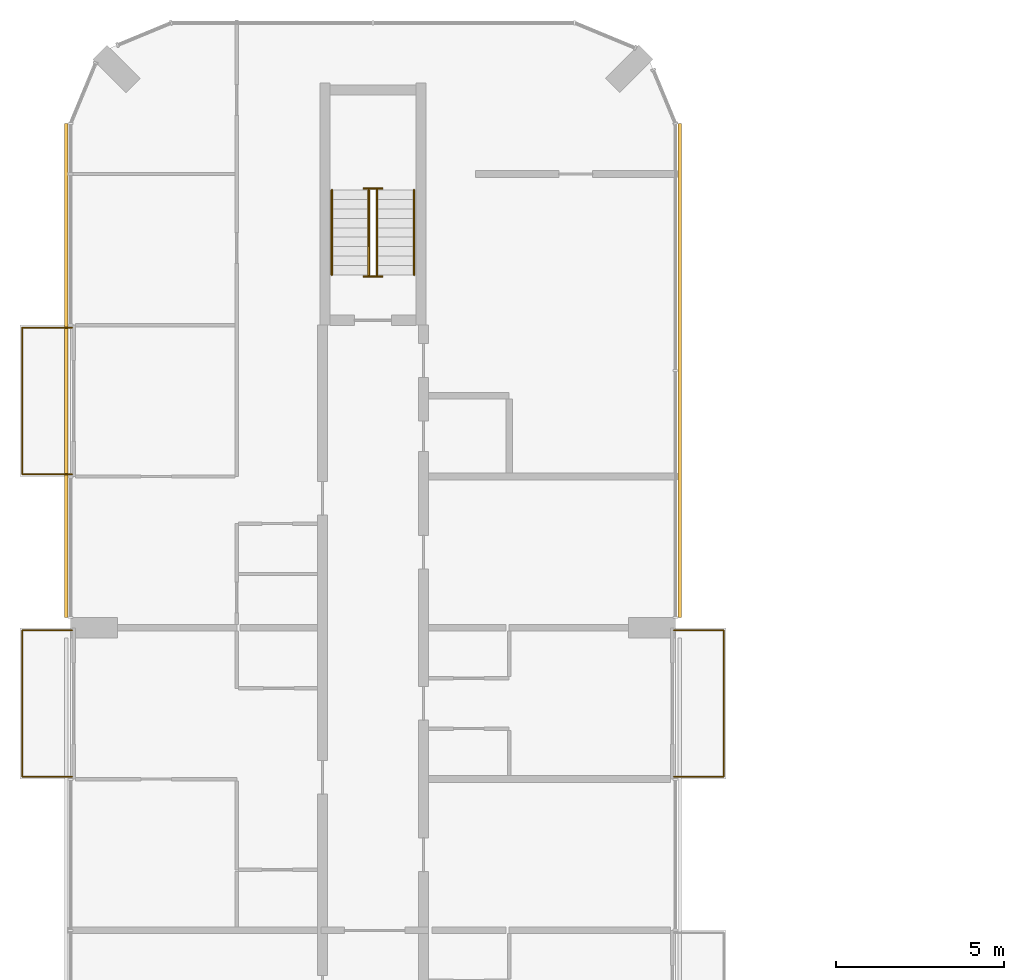
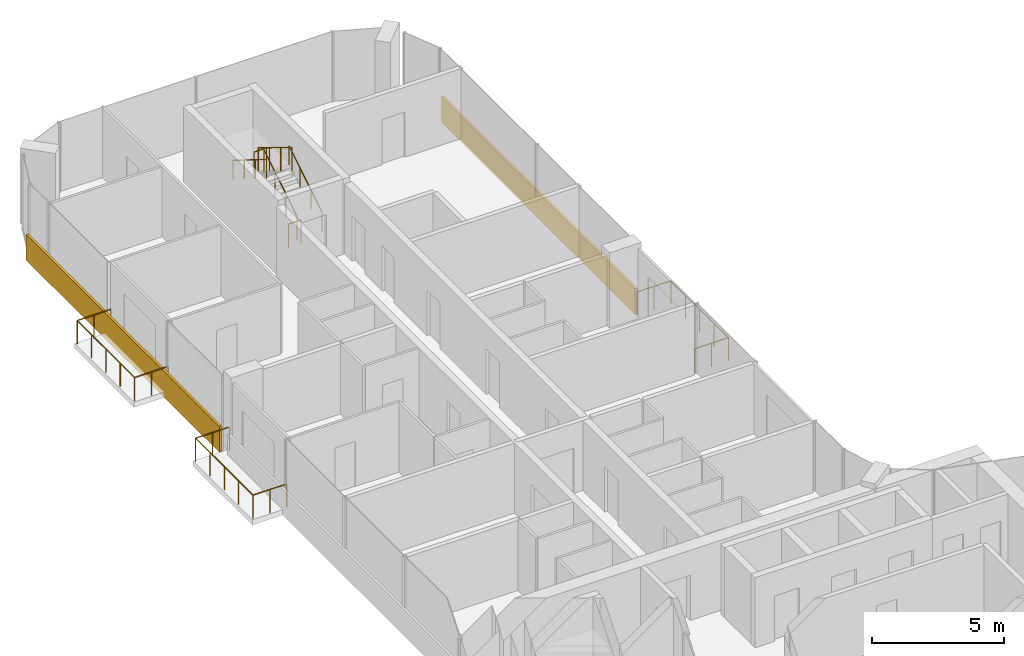
# One storey, part 15 of 15: 9 railings, 2 coverings.
"""IFC4 building model written with IfcOpenShell, lengths in metres."""

from ifc_helpers import new_model, si_unit, direction, frame, origin, origin_2d, place, context, subcontext, project, spatial, rectangle, circle, extrude, material, layer, layer_set, type_object, element, save


model = new_model("IFC4")

# Units and contexts
model_context = context("Model", 3, precision=1e-05, world=origin(), true_north=direction((0.0, 1.0)))
body_context = subcontext(model_context, "Body", "Model", "MODEL_VIEW")
ifc_project = project(units=[si_unit("LENGTHUNIT", "METRE"), si_unit("AREAUNIT", "SQUARE_METRE"), si_unit("VOLUMEUNIT", "CUBIC_METRE"), si_unit("PLANEANGLEUNIT", "RADIAN"), si_unit("MASSUNIT", "GRAM", prefix="KILO")], contexts=[model_context])

# Site, building, storey
site_placement = place(None, origin())
site = spatial("IfcSite", under=ifc_project, at=site_placement, CompositionType="ELEMENT")
building_placement = place(site_placement, origin())
building = spatial("IfcBuilding", under=site, at=building_placement, Name="Plateau Cross Towers", CompositionType="ELEMENT")
storey_placement = place(building_placement, frame((0.0, 0.0, 170.89990234375)))
storey = spatial("IfcBuildingStorey", under=building, at=storey_placement, Name="L44", CompositionType="ELEMENT", Elevation=170.89990234375)

# Railings
ifc_material_1 = material(Name="Stainless steel and toughened glass", Category="steel")
railing_type_1 = type_object("IfcRailingType", Name="Glass balustrade guard 1100", PredefinedType="GUARDRAIL", material=ifc_material_1)
for number, where, name in (
    (1, (0.050048828125, 31.570068359375, 0.0), "Guard guard1"),
    (2, (0.050048828125, 40.570068359375, 0.0), "Guard guard1"),
):
    element("IfcRailing", number, at=place(storey_placement, frame(where)), inside=storey, type_object=railing_type_1, Name=name, PredefinedType="GUARDRAIL", context=body_context, shape_type="SweptSolid", body=[
        extrude(circle(Radius=0.02392578125, at=origin_2d()), frame((0.0, 0.0, 1.076171875), z_axis=(-1.0, 0.0, 0.0), x_axis=(0.0, -1.0, 0.0)), (0.0, 0.0, 1.0), 1.47998046875),
        extrude(circle(Radius=0.02392578125, at=origin_2d()), frame((-1.47998046875, 0.0, 1.076171875), z_axis=(0.0, 1.0, 0.0), x_axis=(-1.0, 0.0, 0.0)), (0.0, 0.0, 1.0), 4.35986328125),
        extrude(circle(Radius=0.02392578125, at=origin_2d()), frame((-1.47998046875, 4.35986328125, 1.076171875), z_axis=(1.0, 0.0, 0.0), x_axis=(0.0, 1.0, 0.0)), (0.0, 0.0, 1.0), 1.47998046875),
        extrude(circle(Radius=0.02099609375, at=origin_2d()), origin(), (0.0, 0.0, 1.0), 1.052001953125),
        extrude(circle(Radius=0.02099609375, at=origin_2d()), frame((-0.739990234375, 0.0, 0.0)), (0.0, 0.0, 1.0), 1.052001953125),
        extrude(circle(Radius=0.02099609375, at=origin_2d()), frame((-1.47998046875, 0.0, 0.0)), (0.0, 0.0, 1.0), 1.052001953125),
        extrude(circle(Radius=0.02099609375, at=origin_2d()), frame((-1.47998046875, 1.08984375, 0.0)), (0.0, 0.0, 1.0), 1.052001953125),
        extrude(circle(Radius=0.02099609375, at=origin_2d()), frame((-1.47998046875, 2.179931640625, 0.0)), (0.0, 0.0, 1.0), 1.052001953125),
        extrude(circle(Radius=0.02099609375, at=origin_2d()), frame((-1.47998046875, 3.27001953125, 0.0)), (0.0, 0.0, 1.0), 1.052001953125),
        extrude(circle(Radius=0.02099609375, at=origin_2d()), frame((-1.47998046875, 4.35986328125, 0.0)), (0.0, 0.0, 1.0), 1.052001953125),
        extrude(circle(Radius=0.02099609375, at=origin_2d()), frame((-0.739990234375, 4.35986328125, 0.0)), (0.0, 0.0, 1.0), 1.052001953125),
        extrude(circle(Radius=0.02099609375, at=origin_2d()), frame((0.0, 4.35986328125, 0.0)), (0.0, 0.0, 1.0), 1.052001953125),
    ])
railing_1_placement = place(storey_placement, frame((17.949951171875, 35.929931640625, 0.0)))
element("IfcRailing", 3, at=railing_1_placement, inside=storey, type_object=railing_type_1, Name="Guard guard1", PredefinedType="GUARDRAIL", context=body_context, shape_type="SweptSolid", body=[
    extrude(circle(Radius=0.02392578125, at=origin_2d()), frame((0.0, 0.0, 1.076171875), z_axis=(1.0, 0.0, 0.0), x_axis=(0.0, 1.0, 0.0)), (0.0, 0.0, 1.0), 1.47998046875),
    extrude(circle(Radius=0.02392578125, at=origin_2d()), frame((1.47998046875, 0.0, 1.076171875), z_axis=(0.0, -1.0, 0.0), x_axis=(1.0, 0.0, 0.0)), (0.0, 0.0, 1.0), 4.35986328125),
    extrude(circle(Radius=0.02392578125, at=origin_2d()), frame((1.47998046875, -4.35986328125, 1.076171875), z_axis=(-1.0, 0.0, 0.0), x_axis=(0.0, -1.0, 0.0)), (0.0, 0.0, 1.0), 1.47998046875),
    extrude(circle(Radius=0.02099609375, at=origin_2d()), origin(), (0.0, 0.0, 1.0), 1.052001953125),
    extrude(circle(Radius=0.02099609375, at=origin_2d()), frame((0.739990234375, 0.0, 0.0)), (0.0, 0.0, 1.0), 1.052001953125),
    extrude(circle(Radius=0.02099609375, at=origin_2d()), frame((1.47998046875, 0.0, 0.0)), (0.0, 0.0, 1.0), 1.052001953125),
    extrude(circle(Radius=0.02099609375, at=origin_2d()), frame((1.47998046875, -1.08984375, 0.0)), (0.0, 0.0, 1.0), 1.052001953125),
    extrude(circle(Radius=0.02099609375, at=origin_2d()), frame((1.47998046875, -2.179931640625, 0.0)), (0.0, 0.0, 1.0), 1.052001953125),
    extrude(circle(Radius=0.02099609375, at=origin_2d()), frame((1.47998046875, -3.27001953125, 0.0)), (0.0, 0.0, 1.0), 1.052001953125),
    extrude(circle(Radius=0.02099609375, at=origin_2d()), frame((1.47998046875, -4.35986328125, 0.0)), (0.0, 0.0, 1.0), 1.052001953125),
    extrude(circle(Radius=0.02099609375, at=origin_2d()), frame((0.739990234375, -4.35986328125, 0.0)), (0.0, 0.0, 1.0), 1.052001953125),
    extrude(circle(Radius=0.02099609375, at=origin_2d()), frame((0.0, -4.35986328125, 0.0)), (0.0, 0.0, 1.0), 1.052001953125),
])
railing_type_2 = type_object("IfcRailingType", Name="RL-GUARD-1100", PredefinedType="GUARDRAIL", material=ifc_material_1)
railing_2_placement = place(storey_placement, frame((9.125, 46.5, 0.175048828125)))
element("IfcRailing", 4, at=railing_2_placement, inside=storey, type_object=railing_type_2, Name="L44 ES-N stair guard 1", PredefinedType="GUARDRAIL", context=body_context, shape_type="SweptSolid", body=[
    extrude(circle(Radius=0.02392578125, at=origin_2d()), frame((0.0, 0.0, 1.076171875), z_axis=(0.0, 0.848007534815, 0.529984170421), x_axis=(-1.0, 0.0, 0.0)), (0.0, 0.0, 1.0), 2.9716796875),
    extrude(circle(Radius=0.02099609375, at=origin_2d()), origin(), (0.0, 0.0, 1.0), 1.052001953125),
    extrude(circle(Radius=0.02099609375, at=origin_2d()), frame((0.0, 0.840087890625, 0.52490234375)), (0.0, 0.0, 1.0), 1.052001953125),
    extrude(circle(Radius=0.02099609375, at=origin_2d()), frame((0.0, 1.679931640625, 1.050048828125)), (0.0, 0.0, 1.0), 1.052001953125),
    extrude(circle(Radius=0.02099609375, at=origin_2d()), frame((0.0, 2.52001953125, 1.574951171875)), (0.0, 0.0, 1.0), 1.052001953125),
])
railing_3_placement = place(storey_placement, frame((9.27490234375, 49.070068359375, 1.75)))
element("IfcRailing", 5, at=railing_3_placement, inside=storey, type_object=railing_type_2, Name="L44 ES-N stair guard 2", PredefinedType="GUARDRAIL", context=body_context, shape_type="SweptSolid", body=[
    extrude(circle(Radius=0.02392578125, at=origin_2d()), frame((0.0, 0.0, 1.076171875), z_axis=(-1.0, 0.0, 0.0), x_axis=(0.0, -1.0, 0.0)), (0.0, 0.0, 1.0), 0.5498046875),
    extrude(circle(Radius=0.02099609375, at=origin_2d()), origin(), (0.0, 0.0, 1.0), 1.052001953125),
    extrude(circle(Radius=0.02099609375, at=origin_2d()), frame((-0.5498046875, 0.0, 0.0)), (0.0, 0.0, 1.0), 1.052001953125),
])
railing_4_placement = place(storey_placement, frame((8.875, 49.02001953125, 1.925048828125)))
element("IfcRailing", 6, at=railing_4_placement, inside=storey, type_object=railing_type_2, Name="L44 ES-N stair guard 3", PredefinedType="GUARDRAIL", context=body_context, shape_type="SweptSolid", body=[
    extrude(circle(Radius=0.02392578125, at=origin_2d()), frame((0.0, 0.0, 1.076171875), z_axis=(0.0, -0.852638500773, 0.522501279423), x_axis=(1.0, 0.0, 0.0)), (0.0, 0.0, 1.0), 3.01416015625),
    extrude(circle(Radius=0.02099609375, at=origin_2d()), origin(), (0.0, 0.0, 1.0), 1.052001953125),
    extrude(circle(Radius=0.02099609375, at=origin_2d()), frame((0.0, -0.856689453125, 0.52490234375)), (0.0, 0.0, 1.0), 1.052001953125),
    extrude(circle(Radius=0.02099609375, at=origin_2d()), frame((0.0, -1.71337890625, 1.050048828125)), (0.0, 0.0, 1.0), 1.052001953125),
    extrude(circle(Radius=0.02099609375, at=origin_2d()), frame((0.0, -2.570068359375, 1.574951171875)), (0.0, 0.0, 1.0), 1.052001953125),
])
railing_5_placement = place(storey_placement, frame((9.27490234375, 46.449951171875, 0.0)))
element("IfcRailing", 7, at=railing_5_placement, inside=storey, type_object=railing_type_2, Name="L44 ES-N stair guard 4", PredefinedType="GUARDRAIL", context=body_context, shape_type="SweptSolid", body=[
    extrude(circle(Radius=0.02392578125, at=origin_2d()), frame((0.0, 0.0, 1.076171875), z_axis=(-1.0, 0.0, 0.0), x_axis=(0.0, -1.0, 0.0)), (0.0, 0.0, 1.0), 0.5498046875),
    extrude(circle(Radius=0.02099609375, at=origin_2d()), origin(), (0.0, 0.0, 1.0), 1.052001953125),
    extrude(circle(Radius=0.02099609375, at=origin_2d()), frame((-0.5498046875, 0.0, 0.0)), (0.0, 0.0, 1.0), 1.052001953125),
])
ifc_material_2 = material(Name="Black anodised aluminium", Category="aluminium")
railing_type_3 = type_object("IfcRailingType", Name="RL-HANDRAIL-900", PredefinedType="HANDRAIL", material=ifc_material_2)
railing_6_placement = place(storey_placement, frame((10.22509765625, 46.5, 0.175048828125)))
element("IfcRailing", 8, at=railing_6_placement, inside=storey, type_object=railing_type_3, Name="L44 ES-N stair handrail 1", PredefinedType="HANDRAIL", context=body_context, shape_type="SweptSolid", body=[
    extrude(circle(Radius=0.02392578125, at=origin_2d()), frame((0.0, 0.0, 0.8759765625), z_axis=(0.0, 0.848007534815, 0.529984170421), x_axis=(-1.0, 0.0, 0.0)), (0.0, 0.0, 1.0), 2.9716796875),
    extrude(circle(Radius=0.02099609375, at=origin_2d()), origin(), (0.0, 0.0, 1.0), 0.851806640625),
    extrude(circle(Radius=0.02099609375, at=origin_2d()), frame((0.0, 0.840087890625, 0.52490234375)), (0.0, 0.0, 1.0), 0.851806640625),
    extrude(circle(Radius=0.02099609375, at=origin_2d()), frame((0.0, 1.679931640625, 1.050048828125)), (0.0, 0.0, 1.0), 0.851806640625),
    extrude(circle(Radius=0.02099609375, at=origin_2d()), frame((0.0, 2.52001953125, 1.574951171875)), (0.0, 0.0, 1.0), 0.851806640625),
])
railing_7_placement = place(storey_placement, frame((7.77490234375, 49.02001953125, 1.925048828125)))
element("IfcRailing", 9, at=railing_7_placement, inside=storey, type_object=railing_type_3, Name="L44 ES-N stair handrail 2", PredefinedType="HANDRAIL", context=body_context, shape_type="SweptSolid", body=[
    extrude(circle(Radius=0.02392578125, at=origin_2d()), frame((0.0, 0.0, 0.8759765625), z_axis=(0.0, -0.848007534815, 0.529984170421), x_axis=(1.0, 0.0, 0.0)), (0.0, 0.0, 1.0), 2.9716796875),
    extrude(circle(Radius=0.02099609375, at=origin_2d()), origin(), (0.0, 0.0, 1.0), 0.851806640625),
    extrude(circle(Radius=0.02099609375, at=origin_2d()), frame((0.0, -0.840087890625, 0.52490234375)), (0.0, 0.0, 1.0), 0.851806640625),
    extrude(circle(Radius=0.02099609375, at=origin_2d()), frame((0.0, -1.679931640625, 1.050048828125)), (0.0, 0.0, 1.0), 0.851806640625),
    extrude(circle(Radius=0.02099609375, at=origin_2d()), frame((0.0, -2.52001953125, 1.574951171875)), (0.0, 0.0, 1.0), 0.851806640625),
])

# Coverings
ifc_material_3 = material(Name="Precast concrete cladding C40/50", Category="concrete")
ifc_layer = layer(ifc_material_3, 0.10009765625)
ifc_layer_set = layer_set([ifc_layer], Name="Precast concrete cladding C40/50")
covering_type = type_object("IfcCoveringType", Name="Spandrel band cladding 100x1200", PredefinedType="CLADDING", material=ifc_layer_set)
for number, where, z_axis, x_axis, name in (
    (10, (18.1201171875, 43.64990234375, -0.25), (0.0, 0.0, 1.0), (0.0, 1.0, 0.0), "Spandrel band"),
    (11, (-0.1201171875, 43.64990234375, -0.25), (0.0, 0.0, 1.0), (0.0, -1.0, 0.0), "Spandrel band"),
):
    element("IfcCovering", number, at=place(storey_placement, frame(where, z_axis=z_axis, x_axis=x_axis)), inside=storey, type_object=covering_type, Name=name, PredefinedType="CLADDING", context=body_context, shape_type="SweptSolid", body=[
        extrude(rectangle(XDim=14.699951171875, YDim=0.10009765625, at=origin_2d()), origin(), (0.0, 0.0, 1.0), 1.199951171875),
    ])

save(model, "model.ifc")
